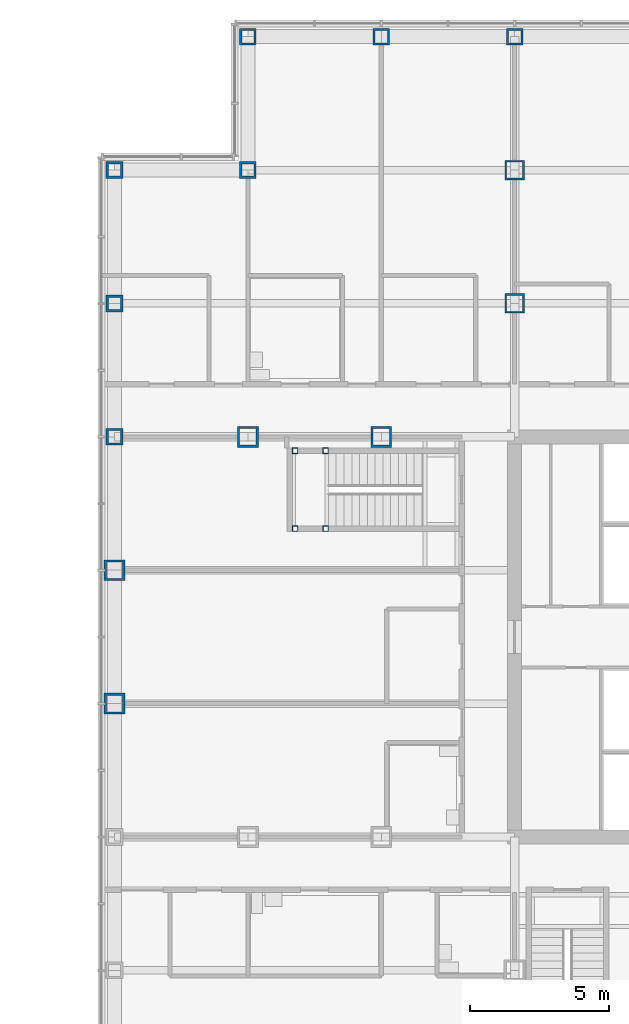
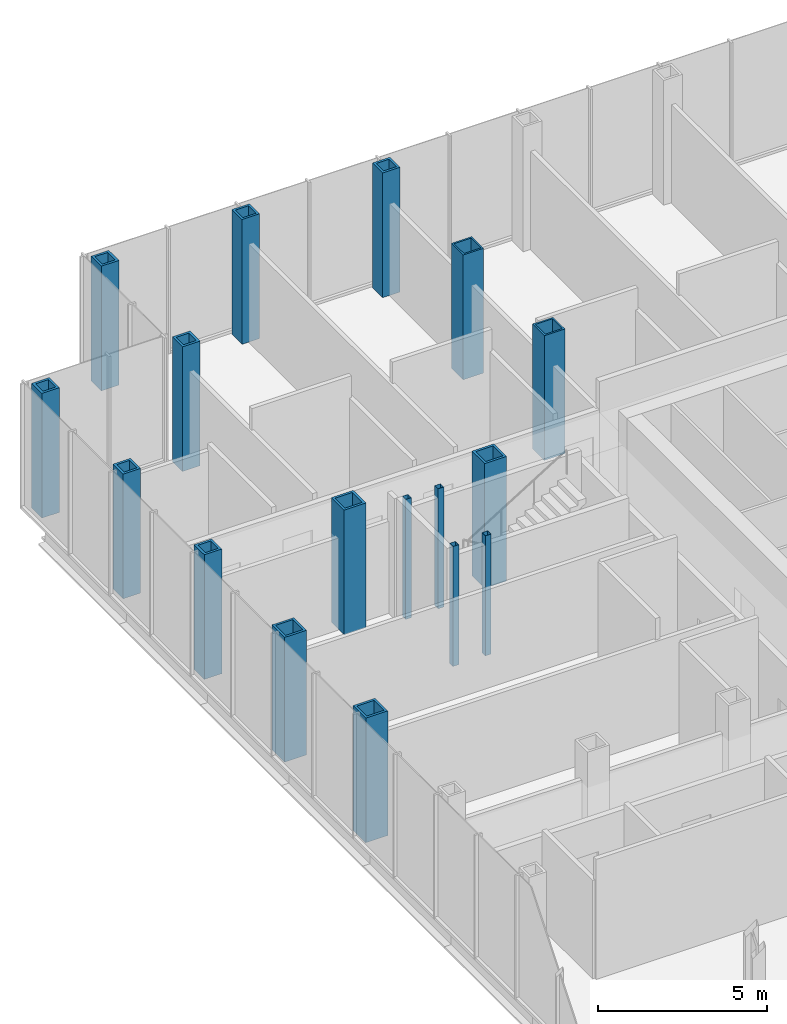
# One storey, part 7 of 25: 17 columns.
"""IFC4 building model written with IfcOpenShell, lengths in metres."""

from ifc_helpers import new_model, si_unit, direction, frame, origin, origin_2d, place, context, subcontext, project, spatial, hollow_rectangle, extrude, material, material_profile, profile_set, type_object, element, save


model = new_model("IFC4")

# Units and contexts
model_context = context("Model", 3, precision=1e-05, world=origin(), true_north=direction((0.0, 1.0)))
body_context = subcontext(model_context, "Body", "Model", "MODEL_VIEW")
ifc_project = project(units=[si_unit("LENGTHUNIT", "METRE"), si_unit("AREAUNIT", "SQUARE_METRE"), si_unit("VOLUMEUNIT", "CUBIC_METRE"), si_unit("PLANEANGLEUNIT", "RADIAN"), si_unit("MASSUNIT", "GRAM", prefix="KILO")], contexts=[model_context])

# Site, building, storey
site_placement = place(None, origin())
site = spatial("IfcSite", under=ifc_project, at=site_placement, CompositionType="ELEMENT")
building_placement = place(site_placement, origin())
building = spatial("IfcBuilding", under=site, at=building_placement, Name="Kvirike Care Tower", CompositionType="ELEMENT")
storey_placement = place(building_placement, frame((0.0, 0.0, 13.5)))
storey = spatial("IfcBuildingStorey", under=building, at=storey_placement, Name="L03", CompositionType="ELEMENT", Elevation=13.5)

# Columns
ifc_material_1 = material(Name="Steel S460", Category="steel")
ifc_material_profile_1 = material_profile(ifc_material_1, hollow_rectangle(XDim=0.60009765625, YDim=0.60009765625, WallThickness=0.080078125, at=origin_2d()), Name="BX 600x600x80")
ifc_profile_set_1 = profile_set([ifc_material_profile_1], Name="Steel S460")
column_type_1 = type_object("IfcColumnType", Name="COLUMN BX 600x600x80", PredefinedType="COLUMN", material=ifc_profile_set_1)
for number, where, z_axis, x_axis, name in (
    (1, (0.0, 43.199951171875, 0.0), (0.0, 0.0, 1.0), (0.0, 1.0, 0.0), "Column K3 L03"),
    (2, (0.0, 48.0, 0.0), (0.0, 0.0, 1.0), (1.0, 0.0, 0.0), "Column L3 L03"),
    (3, (0.0, 52.800048828125, 0.0), (0.0, 0.0, 1.0), (0.0, 1.0, 0.0), "Column M3 L03"),
    (4, (4.800048828125, 52.800048828125, 0.0), (0.0, 0.0, 1.0), (0.0, 1.0, 0.0), "Column M4 L03"),
    (5, (4.800048828125, 57.60009765625, 0.0), (0.0, 0.0, 1.0), (0.0, 1.0, 0.0), "Column N4 L03"),
    (6, (9.60009765625, 57.60009765625, 0.0), (0.0, 0.0, 1.0), (0.0, 1.0, 0.0), "Column N5 L03"),
    (7, (14.39990234375, 57.60009765625, 0.0), (0.0, 0.0, 1.0), (0.0, 1.0, 0.0), "Column N6 L03"),
):
    element("IfcColumn", number, at=place(storey_placement, frame(where, z_axis=z_axis, x_axis=x_axis)), inside=storey, type_object=column_type_1, Name=name, PredefinedType="COLUMN", context=body_context, shape_type="SweptSolid", body=[
        extrude(hollow_rectangle(XDim=0.60009765625, YDim=0.60009765625, WallThickness=0.080078125, at=origin_2d()), origin(), (0.0, 0.0, 1.0), 4.5),
    ])
ifc_material_2 = material(Name="Steel S460", Category="steel")
ifc_material_profile_2 = material_profile(ifc_material_2, hollow_rectangle(XDim=0.699951171875, YDim=0.699951171875, WallThickness=0.06005859375, at=origin_2d()), Name="BX 700x700x60")
ifc_profile_set_2 = profile_set([ifc_material_profile_2], Name="Steel S460")
column_type_2 = type_object("IfcColumnType", Name="COLUMN BX 700x700x60", PredefinedType="COLUMN", material=ifc_profile_set_2)
for number, where, z_axis, x_axis, name in (
    (8, (14.39990234375, 48.0, 0.0), (0.0, 0.0, 1.0), (1.0, 0.0, 0.0), "Column L6 L03"),
    (9, (14.39990234375, 52.800048828125, 0.0), (0.0, 0.0, 1.0), (1.0, 0.0, 0.0), "Column M6 L03"),
):
    element("IfcColumn", number, at=place(storey_placement, frame(where, z_axis=z_axis, x_axis=x_axis)), inside=storey, type_object=column_type_2, Name=name, PredefinedType="COLUMN", context=body_context, shape_type="SweptSolid", body=[
        extrude(hollow_rectangle(XDim=0.699951171875, YDim=0.699951171875, WallThickness=0.06005859375, at=origin_2d()), origin(), (0.0, 0.0, 1.0), 4.5),
    ])
ifc_material_3 = material(Name="Steel S460", Category="steel")
ifc_material_profile_3 = material_profile(ifc_material_3, hollow_rectangle(XDim=0.75, YDim=0.75, WallThickness=0.080078125, at=origin_2d()), Name="BX 750x750x80")
ifc_profile_set_3 = profile_set([ifc_material_profile_3], Name="Steel S460")
column_type_3 = type_object("IfcColumnType", Name="COLUMN BX 750x750x80", PredefinedType="COLUMN", material=ifc_profile_set_3)
for number, where, z_axis, x_axis, name in (
    (10, (0.0, 33.60009765625, 0.0), (0.0, 0.0, 1.0), (1.0, 0.0, 0.0), "Column H3 L03"),
    (11, (0.0, 38.39990234375, 0.0), (0.0, 0.0, 1.0), (1.0, 0.0, 0.0), "Column J3 L03"),
    (12, (4.800048828125, 43.199951171875, 0.0), (0.0, 0.0, 1.0), (0.0, 1.0, 0.0), "Column K4 L03"),
    (13, (9.60009765625, 43.199951171875, 0.0), (0.0, 0.0, 1.0), (0.0, 1.0, 0.0), "Column K5 L03"),
):
    element("IfcColumn", number, at=place(storey_placement, frame(where, z_axis=z_axis, x_axis=x_axis)), inside=storey, type_object=column_type_3, Name=name, PredefinedType="COLUMN", context=body_context, shape_type="SweptSolid", body=[
        extrude(hollow_rectangle(XDim=0.75, YDim=0.75, WallThickness=0.080078125, at=origin_2d()), origin(), (0.0, 0.0, 1.0), 4.5),
    ])
ifc_material_4 = material(Name="Steel S460", Category="steel")
ifc_material_profile_4 = material_profile(ifc_material_4, hollow_rectangle(XDim=0.199951171875, YDim=0.199951171875, WallThickness=0.008056640625, at=origin_2d()), Name="SHS 200x200x8")
ifc_profile_set_4 = profile_set([ifc_material_profile_4], Name="Steel S460")
column_type_4 = type_object("IfcColumnType", Name="STAIR POST SHS 200x200x8", PredefinedType="COLUMN", material=ifc_profile_set_4)
for number, where, z_axis, x_axis, name in (
    (14, (6.5, 42.699951171875, 0.0), (0.0, 0.0, 1.0), (1.0, 0.0, 0.0), "Stair 1 post 1 L03"),
    (15, (6.5, 39.89990234375, 0.0), (0.0, 0.0, 1.0), (1.0, 0.0, 0.0), "Stair 1 post 2 L03"),
    (16, (7.60009765625, 42.699951171875, 0.0), (0.0, 0.0, 1.0), (1.0, 0.0, 0.0), "Stair 1 post 3 L03"),
    (17, (7.60009765625, 39.89990234375, 0.0), (0.0, 0.0, 1.0), (1.0, 0.0, 0.0), "Stair 1 post 4 L03"),
):
    element("IfcColumn", number, at=place(storey_placement, frame(where, z_axis=z_axis, x_axis=x_axis)), inside=storey, type_object=column_type_4, Name=name, PredefinedType="COLUMN", context=body_context, shape_type="SweptSolid", body=[
        extrude(hollow_rectangle(XDim=0.199951171875, YDim=0.199951171875, WallThickness=0.008056640625, at=origin_2d()), origin(), (0.0, 0.0, 1.0), 4.330078125),
    ])

save(model, "model.ifc")
